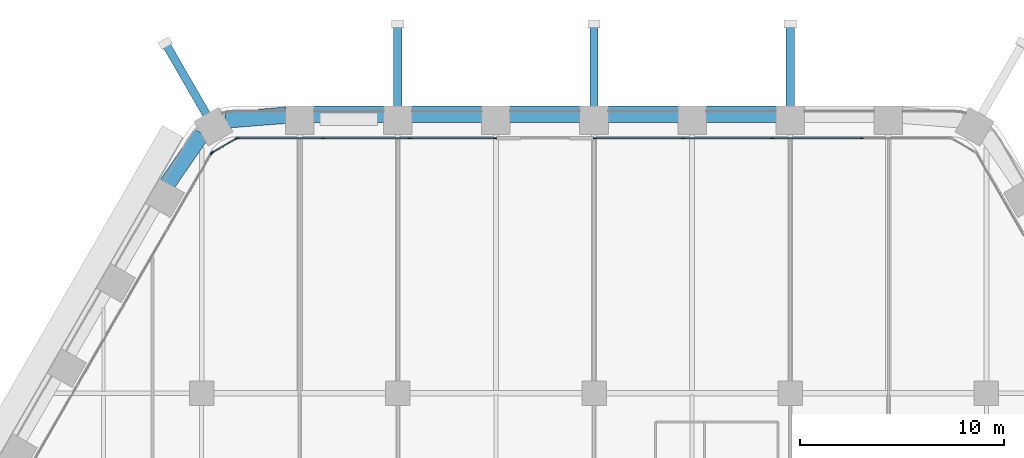
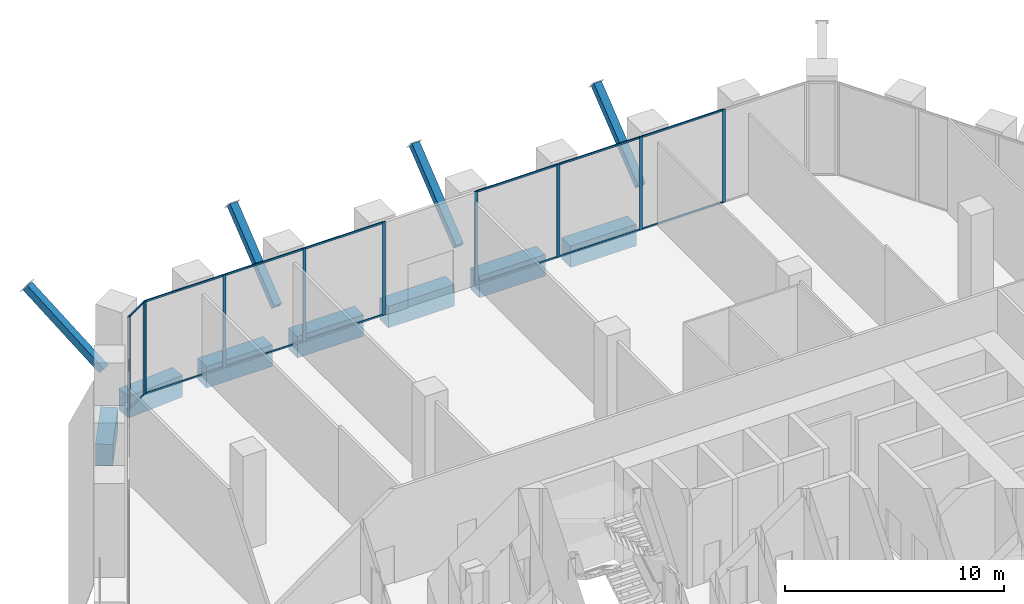
# One storey, part 13 of 29: 29 members, 7 beams, 4 elements without a shape of their own.
"""IFC4 building model written with IfcOpenShell, lengths in metres."""

from ifc_helpers import new_model, si_unit, direction, frame, origin, origin_2d, place, context, subcontext, project, spatial, rectangle, hollow_rectangle, extrude, material, material_profile, profile_set, type_object, element, aggregate, save


model = new_model("IFC4")

# Units and contexts
model_context = context("Model", 3, precision=1e-05, world=origin(), true_north=direction((0.0, 1.0)))
body_context = subcontext(model_context, "Body", "Model", "MODEL_VIEW")
ifc_project = project(units=[si_unit("LENGTHUNIT", "METRE"), si_unit("AREAUNIT", "SQUARE_METRE"), si_unit("VOLUMEUNIT", "CUBIC_METRE"), si_unit("PLANEANGLEUNIT", "RADIAN"), si_unit("MASSUNIT", "GRAM", prefix="KILO")], contexts=[model_context])

# Site, building, storey
site_placement = place(None, origin())
site = spatial("IfcSite", under=ifc_project, at=site_placement, CompositionType="ELEMENT")
building_placement = place(site_placement, origin())
building = spatial("IfcBuilding", under=site, at=building_placement, Name="Kolab Exchange Tower", CompositionType="ELEMENT")
storey_placement = place(building_placement, frame((0.0, 0.0, 33.39990234375)))
storey = spatial("IfcBuildingStorey", under=building, at=storey_placement, Name="L06", CompositionType="ELEMENT", Elevation=33.39990234375)

# Members
ifc_material_1 = material(Name="Steel S355", Category="steel")
ifc_material_profile_1 = material_profile(ifc_material_1, hollow_rectangle(XDim=0.39990234375, YDim=0.39990234375, WallThickness=0.02001953125, at=origin_2d()), Name="HSS400X400X20")
ifc_profile_set_1 = profile_set([ifc_material_profile_1], Name="Steel S355")
member_type_1 = type_object("IfcMemberType", Name="LEDGE STRUT HSS400X400X20", PredefinedType="STRUT", material=ifc_profile_set_1)
for number, where, z_axis, x_axis, name in (
    (1, (-18.947998046875, 32.81884765625, 1.22802734375), (-0.39005913672, 0.675602790468, 0.625631472493), (-0.866025579307, -0.499999695987, 0.0), "mem/L06/ledge/strut-0"),
    (2, (-9.60009765625, 33.21533203125, 1.22802734375), (0.0, 0.780118562111, 0.625631703999), (-1.0, 0.0, 0.0), "mem/L06/ledge/strut-1"),
    (3, (0.0, 33.21533203125, 1.22802734375), (0.0, 0.780118562111, 0.625631703999), (-1.0, 0.0, 0.0), "mem/L06/ledge/strut-2"),
    (4, (9.60009765625, 33.21533203125, 1.22802734375), (0.0, 0.780118562111, 0.625631703999), (-1.0, 0.0, 0.0), "mem/L06/ledge/strut-3"),
):
    element("IfcMember", number, at=place(storey_placement, frame(where, z_axis=z_axis, x_axis=x_axis)), inside=storey, type_object=member_type_1, Name=name, PredefinedType="STRUT", context=body_context, shape_type="SweptSolid", body=[
        extrude(hollow_rectangle(XDim=0.39990234375, YDim=0.39990234375, WallThickness=0.02001953125, at=origin_2d()), origin(), (0.0, 0.0, 1.0), 5.1787109375),
    ])

# Beams
ifc_material_2 = material(Name="Concrete C80/95", Category="concrete")
ifc_material_profile_2 = material_profile(ifc_material_2, rectangle(XDim=0.800048828125, YDim=1.199951171875, at=origin_2d()), Name="RC800X1200")
ifc_profile_set_2 = profile_set([ifc_material_profile_2], Name="Concrete C80/95")
beam_type = type_object("IfcBeamType", Name="SPANDREL BEAM 800X1200 C80/95", PredefinedType="BEAM", material=ifc_profile_set_2)
beam_1_placement = place(storey_placement, frame((-18.03515625, 32.5654296875, -0.849853515625), z_axis=(0.996833978278, 0.07951112973, 0.0), x_axis=(-0.07951112973, 0.996833978278, 0.0)))
element("IfcBeam", 5, at=beam_1_placement, inside=storey, type_object=beam_type, Name="beam/L06/sp/F1-01", PredefinedType="BEAM", context=body_context, shape_type="SweptSolid", body=[
    extrude(rectangle(XDim=0.800048828125, YDim=1.199951171875, at=origin_2d()), origin(), (0.0, 0.0, 1.0), 2.984619140625),
])
for number, where, z_axis, x_axis, name in (
    (6, (-13.739990234375, 32.85546875, -0.849853515625), (1.0, 0.0, 0.0), (0.0, 1.0, 0.0), "beam/L06/sp/F1-02"),
    (7, (-8.93994140625, 32.85546875, -0.849853515625), (1.0, 0.0, 0.0), (0.0, 1.0, 0.0), "beam/L06/sp/F1-03"),
    (8, (-4.139892578125, 32.85546875, -0.849853515625), (1.0, 0.0, 0.0), (0.0, 1.0, 0.0), "beam/L06/sp/F1-04"),
    (9, (0.659912109375, 32.85546875, -0.849853515625), (1.0, 0.0, 0.0), (0.0, 1.0, 0.0), "beam/L06/sp/F1-05"),
    (10, (5.4599609375, 32.85546875, -0.849853515625), (1.0, 0.0, 0.0), (0.0, 1.0, 0.0), "beam/L06/sp/F1-06"),
):
    element("IfcBeam", number, at=place(storey_placement, frame(where, z_axis=z_axis, x_axis=x_axis)), inside=storey, type_object=beam_type, Name=name, PredefinedType="BEAM", context=body_context, shape_type="SweptSolid", body=[
        extrude(rectangle(XDim=0.800048828125, YDim=1.199951171875, at=origin_2d()), origin(), (0.0, 0.0, 1.0), 3.47998046875),
    ])
beam_2_placement = place(storey_placement, frame((-20.8779296875, 29.44384765625, -0.849853515625), z_axis=(0.567247290755, 0.823547516013, 0.0), x_axis=(-0.823547516013, 0.567247290755, 0.0)))
element("IfcBeam", 11, at=beam_2_placement, inside=storey, type_object=beam_type, Name="beam/L06/sp/F6-08", PredefinedType="BEAM", context=body_context, shape_type="SweptSolid", body=[
    extrude(rectangle(XDim=0.800048828125, YDim=1.199951171875, at=origin_2d()), origin(), (0.0, 0.0, 1.0), 2.984375),
])

# Curtain wall, members
ifc_material_3 = material(Name="Aluminium EN AW-6063 T6", Category="aluminium")
curtain_wall_type = type_object("IfcCurtainWallType", Name="UNITISED LOW ZONE CURTAIN WALL", PredefinedType="NOTDEFINED", material=ifc_material_3)
curtain_wall_1_placement = place(storey_placement, origin())
curtain_wall_1 = element("IfcCurtainWall", 12, at=curtain_wall_1_placement, inside=storey, type_object=curtain_wall_type, Name="cw/L06/F1-1", PredefinedType="NOTDEFINED")
ifc_material_profile_3 = material_profile(ifc_material_3, rectangle(XDim=0.06005859375, YDim=0.159912109375, at=origin_2d()), Name="RECT 60X160")
ifc_profile_set_3 = profile_set([ifc_material_profile_3], Name="Aluminium EN AW-6063 T6")
member_type_2 = type_object("IfcMemberType", Name="UNITISED LOW ZONE MULLION 60 X 160", PredefinedType="MULLION", material=ifc_profile_set_3)
member_1_placement = place(storey_placement, frame((-17.43798828125, 31.67529296875, 0.0), z_axis=(0.0, 0.0, 1.0), x_axis=(0.0, 1.0, 0.0)))
member_1 = element("IfcMember", 13, at=member_1_placement, type_object=member_type_2, Name="CW1 mullion 1", PredefinedType="MULLION", context=body_context, shape_type="SweptSolid", body=[
    extrude(rectangle(XDim=0.06005859375, YDim=0.159912109375, at=origin_2d()), origin(), (0.0, 0.0, 1.0), 5.2001953125),
])
member_2_placement = place(storey_placement, frame((-13.245361328125, 31.67529296875, 0.0), z_axis=(0.0, 0.0, 1.0), x_axis=(0.0, 1.0, 0.0)))
member_2 = element("IfcMember", 14, at=member_2_placement, type_object=member_type_2, Name="CW1 mullion 2", PredefinedType="MULLION", context=body_context, shape_type="SweptSolid", body=[
    extrude(rectangle(XDim=0.06005859375, YDim=0.159912109375, at=origin_2d()), origin(), (0.0, 0.0, 1.0), 5.2001953125),
])
member_3_placement = place(storey_placement, frame((-9.022705078125, 31.67529296875, 0.0), z_axis=(0.0, 0.0, 1.0), x_axis=(0.0, 1.0, 0.0)))
member_3 = element("IfcMember", 15, at=member_3_placement, type_object=member_type_2, Name="CW1 mullion 3", PredefinedType="MULLION", context=body_context, shape_type="SweptSolid", body=[
    extrude(rectangle(XDim=0.06005859375, YDim=0.159912109375, at=origin_2d()), origin(), (0.0, 0.0, 1.0), 5.2001953125),
])
member_4_placement = place(storey_placement, frame((-4.830078125, 31.67529296875, 0.0), z_axis=(0.0, 0.0, 1.0), x_axis=(0.0, 1.0, 0.0)))
member_4 = element("IfcMember", 16, at=member_4_placement, type_object=member_type_2, Name="CW1 mullion 4", PredefinedType="MULLION", context=body_context, shape_type="SweptSolid", body=[
    extrude(rectangle(XDim=0.06005859375, YDim=0.159912109375, at=origin_2d()), origin(), (0.0, 0.0, 1.0), 5.2001953125),
])

curtain_wall_2_placement = place(storey_placement, origin())
curtain_wall_2 = element("IfcCurtainWall", 17, at=curtain_wall_2_placement, inside=storey, type_object=curtain_wall_type, Name="cw/L06/F1-2", PredefinedType="NOTDEFINED")
member_5_placement = place(storey_placement, frame((0.030029296875, 31.67529296875, 0.0), z_axis=(0.0, 0.0, 1.0), x_axis=(0.0, 1.0, 0.0)))
member_5 = element("IfcMember", 18, at=member_5_placement, type_object=member_type_2, Name="CW1 mullion 1", PredefinedType="MULLION", context=body_context, shape_type="SweptSolid", body=[
    extrude(rectangle(XDim=0.06005859375, YDim=0.159912109375, at=origin_2d()), origin(), (0.0, 0.0, 1.0), 5.2001953125),
])
member_6_placement = place(storey_placement, frame((4.366943359375, 31.67529296875, 0.0), z_axis=(0.0, 0.0, 1.0), x_axis=(0.0, 1.0, 0.0)))
member_6 = element("IfcMember", 19, at=member_6_placement, type_object=member_type_2, Name="CW1 mullion 2", PredefinedType="MULLION", context=body_context, shape_type="SweptSolid", body=[
    extrude(rectangle(XDim=0.06005859375, YDim=0.159912109375, at=origin_2d()), origin(), (0.0, 0.0, 1.0), 5.2001953125),
])
member_7_placement = place(storey_placement, frame((8.73388671875, 31.67529296875, 0.0), z_axis=(0.0, 0.0, 1.0), x_axis=(0.0, 1.0, 0.0)))
member_7 = element("IfcMember", 20, at=member_7_placement, type_object=member_type_2, Name="CW1 mullion 3", PredefinedType="MULLION", context=body_context, shape_type="SweptSolid", body=[
    extrude(rectangle(XDim=0.06005859375, YDim=0.159912109375, at=origin_2d()), origin(), (0.0, 0.0, 1.0), 5.2001953125),
])
member_8_placement = place(storey_placement, frame((13.10107421875, 31.67529296875, 0.0), z_axis=(0.0, 0.0, 1.0), x_axis=(0.0, 1.0, 0.0)))
member_8 = element("IfcMember", 21, at=member_8_placement, type_object=member_type_2, Name="CW1 mullion 4", PredefinedType="MULLION", context=body_context, shape_type="SweptSolid", body=[
    extrude(rectangle(XDim=0.06005859375, YDim=0.159912109375, at=origin_2d()), origin(), (0.0, 0.0, 1.0), 5.2001953125),
])

# Curtain wall, member
curtain_wall_3_placement = place(storey_placement, origin())
curtain_wall_3 = element("IfcCurtainWall", 22, at=curtain_wall_3_placement, inside=storey, type_object=curtain_wall_type, Name="cw/L06/F6-2", PredefinedType="NOTDEFINED")
member_9_placement = place(storey_placement, frame((-18.712646484375, 30.939453125, 0.0), z_axis=(0.0, 0.0, 1.0), x_axis=(-0.866025397318, 0.5000000112, 0.0)))
member_9 = element("IfcMember", 23, at=member_9_placement, type_object=member_type_2, Name="CW1 mullion 5", PredefinedType="MULLION", context=body_context, shape_type="SweptSolid", body=[
    extrude(rectangle(XDim=0.06005859375, YDim=0.159912109375, at=origin_2d()), origin(), (0.0, 0.0, 1.0), 5.2001953125),
])
aggregate(curtain_wall_3, [member_9])

# Curtain wall, members
curtain_wall_4_placement = place(storey_placement, origin())
curtain_wall_4 = element("IfcCurtainWall", 24, at=curtain_wall_4_placement, inside=storey, type_object=curtain_wall_type, Name="cw/L06/F6F1-corner", PredefinedType="NOTDEFINED")
member_10_placement = place(storey_placement, frame((-18.671630859375, 30.98046875, 0.0), z_axis=(0.0, 0.0, 1.0), x_axis=(-0.50000002237, 0.866025390869, 0.0)))
member_10 = element("IfcMember", 25, at=member_10_placement, type_object=member_type_2, Name="CW1 mullion 1", PredefinedType="MULLION", context=body_context, shape_type="SweptSolid", body=[
    extrude(rectangle(XDim=0.06005859375, YDim=0.159912109375, at=origin_2d()), origin(), (0.0, 0.0, 1.0), 5.2001953125),
])
member_11_placement = place(storey_placement, frame((-17.493896484375, 31.660400390625, 0.0), z_axis=(0.0, 0.0, 1.0), x_axis=(-0.50000002237, 0.866025390869, 0.0)))
member_11 = element("IfcMember", 26, at=member_11_placement, type_object=member_type_2, Name="CW1 mullion 2", PredefinedType="MULLION", context=body_context, shape_type="SweptSolid", body=[
    extrude(rectangle(XDim=0.06005859375, YDim=0.159912109375, at=origin_2d()), origin(), (0.0, 0.0, 1.0), 5.2001953125),
])

# Member
ifc_material_profile_4 = material_profile(ifc_material_3, rectangle(XDim=0.06005859375, YDim=0.10009765625, at=origin_2d()), Name="RECT 60X100")
ifc_profile_set_4 = profile_set([ifc_material_profile_4], Name="Aluminium EN AW-6063 T6")
member_type_3 = type_object("IfcMemberType", Name="UNITISED LOW ZONE TRANSOM 60 X 100", PredefinedType="USERDEFINED", material=ifc_profile_set_4)
member_12_placement = place(storey_placement, frame((-17.407958984375, 31.67529296875, 0.030029296875), z_axis=(1.0, 0.0, 0.0), x_axis=(0.0, 1.0, 0.0)))
member_12 = element("IfcMember", 27, at=member_12_placement, type_object=member_type_3, Name="CW1 transom 1.1", ObjectType="TRANSOM", PredefinedType="USERDEFINED", context=body_context, shape_type="SweptSolid", body=[
    extrude(rectangle(XDim=0.06005859375, YDim=0.10009765625, at=origin_2d()), origin(), (0.0, 0.0, 1.0), 4.132568359375),
])

member_13_placement = place(storey_placement, frame((-17.407958984375, 31.67529296875, 5.170166015625), z_axis=(1.0, 0.0, 0.0), x_axis=(0.0, 1.0, 0.0)))
member_13 = element("IfcMember", 28, at=member_13_placement, type_object=member_type_3, Name="CW1 transom 1.2", ObjectType="TRANSOM", PredefinedType="USERDEFINED", context=body_context, shape_type="SweptSolid", body=[
    extrude(rectangle(XDim=0.06005859375, YDim=0.10009765625, at=origin_2d()), origin(), (0.0, 0.0, 1.0), 4.132568359375),
])

member_14_placement = place(storey_placement, frame((-13.21533203125, 31.67529296875, 0.030029296875), z_axis=(1.0, 0.0, 0.0), x_axis=(0.0, 1.0, 0.0)))
member_14 = element("IfcMember", 29, at=member_14_placement, type_object=member_type_3, Name="CW1 transom 2.1", ObjectType="TRANSOM", PredefinedType="USERDEFINED", context=body_context, shape_type="SweptSolid", body=[
    extrude(rectangle(XDim=0.06005859375, YDim=0.10009765625, at=origin_2d()), origin(), (0.0, 0.0, 1.0), 4.16259765625),
])

member_15_placement = place(storey_placement, frame((-13.21533203125, 31.67529296875, 5.170166015625), z_axis=(1.0, 0.0, 0.0), x_axis=(0.0, 1.0, 0.0)))
member_15 = element("IfcMember", 30, at=member_15_placement, type_object=member_type_3, Name="CW1 transom 2.2", ObjectType="TRANSOM", PredefinedType="USERDEFINED", context=body_context, shape_type="SweptSolid", body=[
    extrude(rectangle(XDim=0.06005859375, YDim=0.10009765625, at=origin_2d()), origin(), (0.0, 0.0, 1.0), 4.16259765625),
])

member_16_placement = place(storey_placement, frame((-8.99267578125, 31.67529296875, 0.030029296875), z_axis=(1.0, 0.0, 0.0), x_axis=(0.0, 1.0, 0.0)))
member_16 = element("IfcMember", 31, at=member_16_placement, type_object=member_type_3, Name="CW1 transom 3.1", ObjectType="TRANSOM", PredefinedType="USERDEFINED", context=body_context, shape_type="SweptSolid", body=[
    extrude(rectangle(XDim=0.06005859375, YDim=0.10009765625, at=origin_2d()), origin(), (0.0, 0.0, 1.0), 4.132568359375),
])

member_17_placement = place(storey_placement, frame((-8.99267578125, 31.67529296875, 5.170166015625), z_axis=(1.0, 0.0, 0.0), x_axis=(0.0, 1.0, 0.0)))
member_17 = element("IfcMember", 32, at=member_17_placement, type_object=member_type_3, Name="CW1 transom 3.2", ObjectType="TRANSOM", PredefinedType="USERDEFINED", context=body_context, shape_type="SweptSolid", body=[
    extrude(rectangle(XDim=0.06005859375, YDim=0.10009765625, at=origin_2d()), origin(), (0.0, 0.0, 1.0), 4.132568359375),
])

aggregate(curtain_wall_1, [member_1, member_2, member_3, member_4, member_12, member_13, member_14, member_15, member_16, member_17])

member_18_placement = place(storey_placement, frame((0.06005859375, 31.67529296875, 0.030029296875), z_axis=(1.0, 0.0, 0.0), x_axis=(0.0, 1.0, 0.0)))
member_18 = element("IfcMember", 33, at=member_18_placement, type_object=member_type_3, Name="CW1 transom 1.1", ObjectType="TRANSOM", PredefinedType="USERDEFINED", context=body_context, shape_type="SweptSolid", body=[
    extrude(rectangle(XDim=0.06005859375, YDim=0.10009765625, at=origin_2d()), origin(), (0.0, 0.0, 1.0), 4.27685546875),
])

member_19_placement = place(storey_placement, frame((0.06005859375, 31.67529296875, 5.170166015625), z_axis=(1.0, 0.0, 0.0), x_axis=(0.0, 1.0, 0.0)))
member_19 = element("IfcMember", 34, at=member_19_placement, type_object=member_type_3, Name="CW1 transom 1.2", ObjectType="TRANSOM", PredefinedType="USERDEFINED", context=body_context, shape_type="SweptSolid", body=[
    extrude(rectangle(XDim=0.06005859375, YDim=0.10009765625, at=origin_2d()), origin(), (0.0, 0.0, 1.0), 4.27685546875),
])

member_20_placement = place(storey_placement, frame((4.39697265625, 31.67529296875, 0.030029296875), z_axis=(1.0, 0.0, 0.0), x_axis=(0.0, 1.0, 0.0)))
member_20 = element("IfcMember", 35, at=member_20_placement, type_object=member_type_3, Name="CW1 transom 2.1", ObjectType="TRANSOM", PredefinedType="USERDEFINED", context=body_context, shape_type="SweptSolid", body=[
    extrude(rectangle(XDim=0.06005859375, YDim=0.10009765625, at=origin_2d()), origin(), (0.0, 0.0, 1.0), 4.306884765625),
])

member_21_placement = place(storey_placement, frame((4.39697265625, 31.67529296875, 5.170166015625), z_axis=(1.0, 0.0, 0.0), x_axis=(0.0, 1.0, 0.0)))
member_21 = element("IfcMember", 36, at=member_21_placement, type_object=member_type_3, Name="CW1 transom 2.2", ObjectType="TRANSOM", PredefinedType="USERDEFINED", context=body_context, shape_type="SweptSolid", body=[
    extrude(rectangle(XDim=0.06005859375, YDim=0.10009765625, at=origin_2d()), origin(), (0.0, 0.0, 1.0), 4.306884765625),
])

member_22_placement = place(storey_placement, frame((8.763916015625, 31.67529296875, 0.030029296875), z_axis=(1.0, 0.0, 0.0), x_axis=(0.0, 1.0, 0.0)))
member_22 = element("IfcMember", 37, at=member_22_placement, type_object=member_type_3, Name="CW1 transom 3.1", ObjectType="TRANSOM", PredefinedType="USERDEFINED", context=body_context, shape_type="SweptSolid", body=[
    extrude(rectangle(XDim=0.06005859375, YDim=0.10009765625, at=origin_2d()), origin(), (0.0, 0.0, 1.0), 4.30712890625),
])

member_23_placement = place(storey_placement, frame((8.763916015625, 31.67529296875, 5.170166015625), z_axis=(1.0, 0.0, 0.0), x_axis=(0.0, 1.0, 0.0)))
member_23 = element("IfcMember", 38, at=member_23_placement, type_object=member_type_3, Name="CW1 transom 3.2", ObjectType="TRANSOM", PredefinedType="USERDEFINED", context=body_context, shape_type="SweptSolid", body=[
    extrude(rectangle(XDim=0.06005859375, YDim=0.10009765625, at=origin_2d()), origin(), (0.0, 0.0, 1.0), 4.30712890625),
])

aggregate(curtain_wall_2, [member_5, member_6, member_7, member_8, member_18, member_19, member_20, member_21, member_22, member_23])

member_24_placement = place(storey_placement, frame((-18.645751953125, 30.995361328125, 0.030029296875), z_axis=(0.86603858612, 0.49997716683, 0.0), x_axis=(-0.49997716683, 0.86603858612, 0.0)))
member_24 = element("IfcMember", 39, at=member_24_placement, type_object=member_type_3, Name="CW1 transom 1.1", ObjectType="TRANSOM", PredefinedType="USERDEFINED", context=body_context, shape_type="SweptSolid", body=[
    extrude(rectangle(XDim=0.06005859375, YDim=0.10009765625, at=origin_2d()), origin(), (0.0, 0.0, 1.0), 1.2998046875),
])

member_25_placement = place(storey_placement, frame((-18.645751953125, 30.995361328125, 5.170166015625), z_axis=(0.86603858612, 0.49997716683, 0.0), x_axis=(-0.49997716683, 0.86603858612, 0.0)))
member_25 = element("IfcMember", 40, at=member_25_placement, type_object=member_type_3, Name="CW1 transom 1.2", ObjectType="TRANSOM", PredefinedType="USERDEFINED", context=body_context, shape_type="SweptSolid", body=[
    extrude(rectangle(XDim=0.06005859375, YDim=0.10009765625, at=origin_2d()), origin(), (0.0, 0.0, 1.0), 1.2998046875),
])

aggregate(curtain_wall_4, [member_10, member_11, member_24, member_25])

save(model, "model.ifc")
